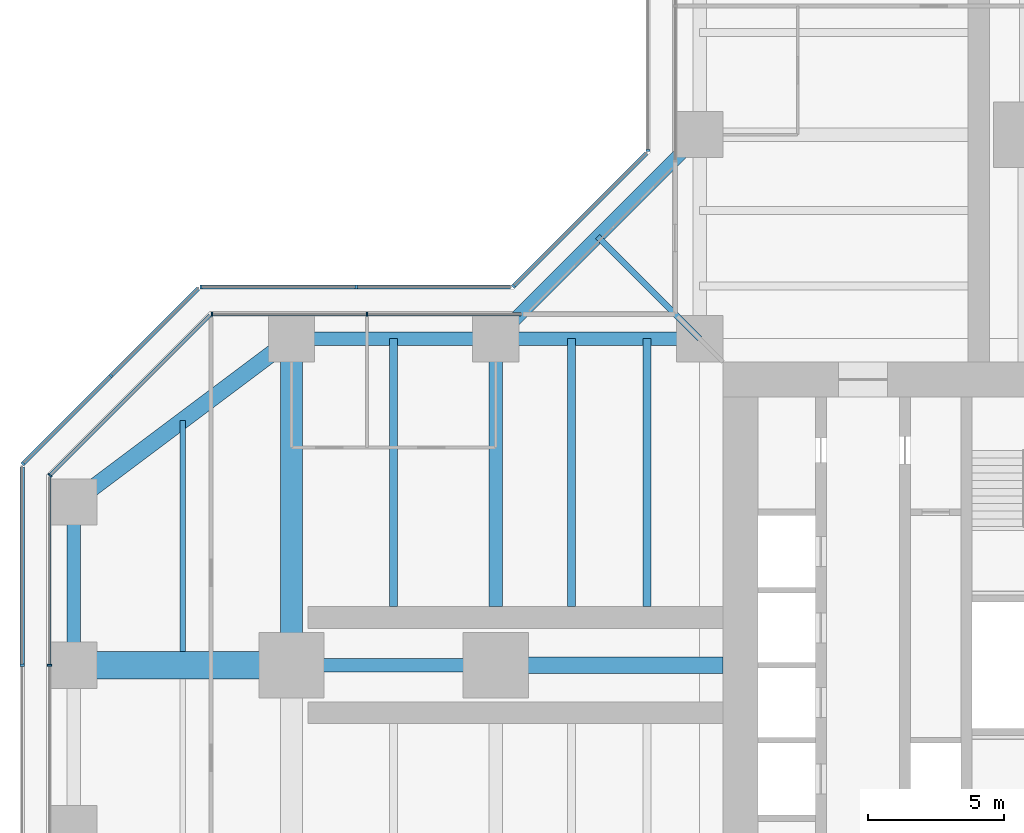
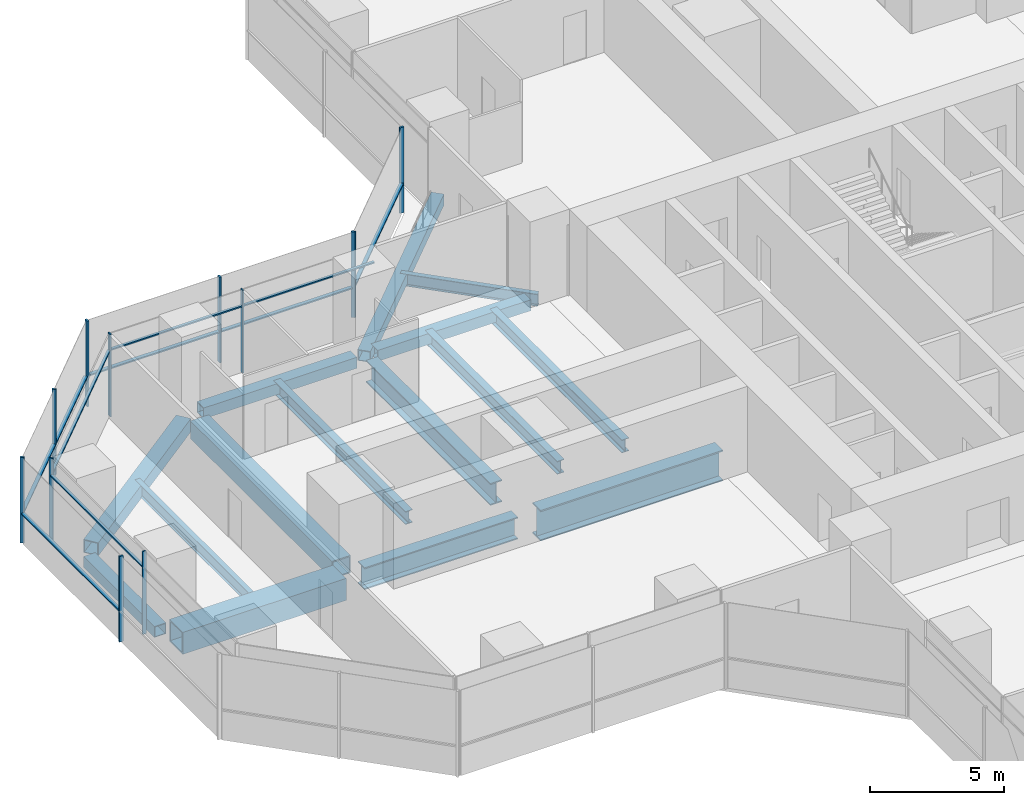
# One storey, part 8 of 22: 21 members, 15 beams, 8 elements without a shape of their own.
"""IFC4 building model written with IfcOpenShell, lengths in metres."""

from ifc_helpers import new_model, si_unit, direction, frame, origin, origin_2d, place, context, subcontext, project, spatial, rectangle, hollow_rectangle, i_section, extrude, material, material_profile, profile_set, type_object, element, aggregate, save


model = new_model("IFC4")

# Units and contexts
model_context = context("Model", 3, precision=1e-05, world=origin(), true_north=direction((0.0, 1.0)))
body_context = subcontext(model_context, "Body", "Model", "MODEL_VIEW")
ifc_project = project(units=[si_unit("LENGTHUNIT", "METRE"), si_unit("AREAUNIT", "SQUARE_METRE"), si_unit("VOLUMEUNIT", "CUBIC_METRE"), si_unit("PLANEANGLEUNIT", "RADIAN"), si_unit("MASSUNIT", "GRAM", prefix="KILO")], contexts=[model_context])

# Site, building, storey
site_placement = place(None, origin())
site = spatial("IfcSite", under=ifc_project, at=site_placement, CompositionType="ELEMENT")
building_placement = place(site_placement, origin())
building = spatial("IfcBuilding", under=site, at=building_placement, Name="Mizan Broadcast Tower", CompositionType="ELEMENT")
storey_placement = place(building_placement, frame((0.0, 0.0, 86.39990234375)))
storey = spatial("IfcBuildingStorey", under=building, at=storey_placement, Name="L18", CompositionType="ELEMENT", Elevation=86.39990234375)

# Beams
ifc_material_1 = material(Name="Steel S355", Category="steel")
ifc_material_profile_1 = material_profile(ifc_material_1, hollow_rectangle(XDim=0.5, YDim=0.5, WallThickness=0.030029296875, at=origin_2d()), Name="BOX 500x500x30")
ifc_profile_set_1 = profile_set([ifc_material_profile_1], Name="Steel S355")
beam_type_1 = type_object("IfcBeamType", Name="EDGE BEAM BOX 500x500x30", PredefinedType="SPANDREL", material=ifc_profile_set_1)
for number, where, z_axis, x_axis, name in (
    (1, (-12.449951171875, 12.0, -0.3798828125), (-1.0, 0.0, 0.0), (0.0, -1.0, 0.0), "Edge beam BOX 500x500x30 L18 west arm"),
    (2, (-19.949951171875, 12.0, -0.3798828125), (-1.0, 0.0, 0.0), (0.0, -1.0, 0.0), "Edge beam BOX 500x500x30 L18 west arm"),
):
    element("IfcBeam", number, at=place(storey_placement, frame(where, z_axis=z_axis, x_axis=x_axis)), inside=storey, type_object=beam_type_1, Name=name, PredefinedType="SPANDREL", context=body_context, shape_type="SweptSolid", body=[
        extrude(hollow_rectangle(XDim=0.5, YDim=0.5, WallThickness=0.030029296875, at=origin_2d()), origin(), (0.0, 0.0, 1.0), 6.60009765625),
    ])
beam_1_placement = place(storey_placement, frame((-35.0, 5.639892578125, -0.3798828125), z_axis=(0.0, -1.0, 0.0), x_axis=(1.0, 0.0, 0.0)))
element("IfcBeam", 3, at=beam_1_placement, inside=storey, type_object=beam_type_1, Name="Edge beam BOX 500x500x30 L18 west arm", PredefinedType="SPANDREL", context=body_context, shape_type="SweptSolid", body=[
    extrude(hollow_rectangle(XDim=0.5, YDim=0.5, WallThickness=0.030029296875, at=origin_2d()), origin(), (0.0, 0.0, 1.0), 5.27978515625),
])
beam_2_placement = place(storey_placement, frame((-12.0, 19.5, -0.3798828125), z_axis=(-0.707106781187, -0.707106781187, 0.0), x_axis=(0.707106781187, -0.707106781187, 0.0)))
element("IfcBeam", 4, at=beam_2_placement, inside=storey, type_object=beam_type_1, Name="Winter garden edge beam L18 N", PredefinedType="SPANDREL", context=body_context, shape_type="SweptSolid", body=[
    extrude(hollow_rectangle(XDim=0.5, YDim=0.5, WallThickness=0.030029296875, at=origin_2d()), origin(), (0.0, 0.0, 1.0), 10.606689453125),
])
ifc_material_2 = material(Name="Steel S355", Category="steel")
ifc_material_profile_2 = material_profile(ifc_material_2, hollow_rectangle(XDim=0.60009765625, YDim=0.60009765625, WallThickness=0.030029296875, at=origin_2d()), Name="BOX 600x600x30")
ifc_profile_set_2 = profile_set([ifc_material_profile_2], Name="Steel S355")
beam_type_2 = type_object("IfcBeamType", Name="EDGE BEAM BOX 600x600x30", PredefinedType="SPANDREL", material=ifc_profile_set_2)
beam_3_placement = place(storey_placement, frame((-27.47998046875, 11.639892578125, -0.429931640625), z_axis=(-0.800013316712, -0.599982243973, 0.0), x_axis=(0.599982243973, -0.800013316712, 0.0)))
element("IfcBeam", 5, at=beam_3_placement, inside=storey, type_object=beam_type_2, Name="Edge beam BOX 600x600x30 L18 west arm", PredefinedType="SPANDREL", context=body_context, shape_type="SweptSolid", body=[
    extrude(hollow_rectangle(XDim=0.60009765625, YDim=0.60009765625, WallThickness=0.030029296875, at=origin_2d()), origin(), (0.0, 0.0, 1.0), 8.7998046875),
])
ifc_material_3 = material(Name="Steel S460", Category="steel")
ifc_material_profile_3 = material_profile(ifc_material_3, hollow_rectangle(XDim=1.0, YDim=1.0, WallThickness=0.06005859375, at=origin_2d()), Name="BOX 1000x1000x60")
ifc_profile_set_3 = profile_set([ifc_material_profile_3], Name="Steel S460")
beam_type_3 = type_object("IfcBeamType", Name="GIRDER BOX 1000x1000x60", PredefinedType="BEAM", material=ifc_profile_set_3)
beam_4_placement = place(storey_placement, frame((-27.47998046875, 0.0, -0.6298828125), z_axis=(-1.0, 0.0, 0.0), x_axis=(0.0, -1.0, 0.0)))
element("IfcBeam", 6, at=beam_4_placement, inside=storey, type_object=beam_type_3, Name="Girder BOX 1000x1000x60 L18 west arm", PredefinedType="BEAM", context=body_context, shape_type="SweptSolid", body=[
    extrude(hollow_rectangle(XDim=1.0, YDim=1.0, WallThickness=0.06005859375, at=origin_2d()), origin(), (0.0, 0.0, 1.0), 7.0400390625),
])
ifc_material_4 = material(Name="Steel S460", Category="steel")
ifc_material_profile_4 = material_profile(ifc_material_4, hollow_rectangle(XDim=0.800048828125, YDim=0.800048828125, WallThickness=0.050048828125, at=origin_2d()), Name="BOX 800x800x50")
ifc_profile_set_4 = profile_set([ifc_material_profile_4], Name="Steel S460")
beam_type_4 = type_object("IfcBeamType", Name="GIRDER BOX 800x800x50", PredefinedType="BEAM", material=ifc_profile_set_4)
beam_5_placement = place(storey_placement, frame((-27.0, 11.280029296875, -0.52978515625), z_axis=(0.0, -1.0, 0.0), x_axis=(1.0, 0.0, 0.0)))
element("IfcBeam", 7, at=beam_5_placement, inside=storey, type_object=beam_type_4, Name="Girder BOX 800x800x50 L18 west arm", PredefinedType="BEAM", context=body_context, shape_type="SweptSolid", body=[
    extrude(hollow_rectangle(XDim=0.800048828125, YDim=0.800048828125, WallThickness=0.050048828125, at=origin_2d()), origin(), (0.0, 0.0, 1.0), 10.56005859375),
])
ifc_material_5 = material(Name="Steel S460", Category="steel")
ifc_material_profile_5 = material_profile(ifc_material_5, i_section(OverallWidth=0.5, OverallDepth=1.0, WebThickness=0.02490234375, FlangeThickness=0.050048828125, at=origin_2d()), Name="WPG 1000x500")
ifc_profile_set_5 = profile_set([ifc_material_profile_5], Name="Steel S460")
beam_type_5 = type_object("IfcBeamType", Name="GIRDER WPG 1000x500", PredefinedType="BEAM", material=ifc_profile_set_5)
beam_6_placement = place(storey_placement, frame((-19.949951171875, 0.0, -0.6298828125), z_axis=(-1.0, 0.0, 0.0), x_axis=(0.0, -1.0, 0.0)))
element("IfcBeam", 8, at=beam_6_placement, inside=storey, type_object=beam_type_5, Name="Girder WPG 1000x500 L18 west arm", PredefinedType="BEAM", context=body_context, shape_type="SweptSolid", body=[
    extrude(i_section(OverallWidth=0.5, OverallDepth=1.0, WebThickness=0.02490234375, FlangeThickness=0.050048828125, at=origin_2d()), origin(), (0.0, 0.0, 1.0), 6.60009765625),
])
beam_7_placement = place(storey_placement, frame((-19.5, 11.408935546875, -0.6298828125), z_axis=(0.0, -1.0, 0.0), x_axis=(1.0, 0.0, 0.0)))
element("IfcBeam", 9, at=beam_7_placement, inside=storey, type_object=beam_type_5, Name="Girder WPG 1000x500 L18 west arm", PredefinedType="BEAM", context=body_context, shape_type="SweptSolid", body=[
    extrude(i_section(OverallWidth=0.5, OverallDepth=1.0, WebThickness=0.02490234375, FlangeThickness=0.050048828125, at=origin_2d()), origin(), (0.0, 0.0, 1.0), 9.259033203125),
])
ifc_material_6 = material(Name="Steel S460", Category="steel")
ifc_material_profile_6 = material_profile(ifc_material_6, i_section(OverallWidth=0.60009765625, OverallDepth=1.39990234375, WebThickness=0.02490234375, FlangeThickness=0.06005859375, at=origin_2d()), Name="WPG 1400x600")
ifc_profile_set_6 = profile_set([ifc_material_profile_6], Name="Steel S460")
beam_type_6 = type_object("IfcBeamType", Name="GIRDER WPG 1400x600", PredefinedType="BEAM", material=ifc_profile_set_6)
beam_8_placement = place(storey_placement, frame((-11.14990234375, 0.0, -0.829833984375), z_axis=(-1.0, 0.0, 0.0), x_axis=(0.0, -1.0, 0.0)))
element("IfcBeam", 10, at=beam_8_placement, inside=storey, type_object=beam_type_6, Name="Girder WPG 1400x600 L18 west arm", PredefinedType="BEAM", context=body_context, shape_type="SweptSolid", body=[
    extrude(i_section(OverallWidth=0.60009765625, OverallDepth=1.39990234375, WebThickness=0.02490234375, FlangeThickness=0.06005859375, at=origin_2d()), origin(), (0.0, 0.0, 1.0), 7.84912109375),
])

# Curtain wall, members
ifc_material_7 = material(Name="Aluminium framed glazing", Category="aluminium")
curtain_wall_type_1 = type_object("IfcCurtainWallType", Name="INNER SKIN LOW ZONE", PredefinedType="USERDEFINED", material=ifc_material_7)
curtain_wall_1_placement = place(storey_placement, origin())
curtain_wall_1 = element("IfcCurtainWall", 11, at=curtain_wall_1_placement, inside=storey, type_object=curtain_wall_type_1, Name="Inner skin low zone L18 W side", ObjectType="INNER SKIN LOW ZONE", PredefinedType="USERDEFINED")
ifc_material_8 = material(Name="Aluminium, pale anodised", Category="aluminium")
ifc_material_profile_7 = material_profile(ifc_material_8, rectangle(XDim=0.159912109375, YDim=0.06005859375, at=origin_2d()), Name="MULLION 160x60")
ifc_profile_set_7 = profile_set([ifc_material_profile_7], Name="Aluminium, pale anodised")
member_type_1 = type_object("IfcMemberType", Name="INNER SKIN MULLION 60x160", PredefinedType="MULLION", material=ifc_profile_set_7)
member_1_placement = place(storey_placement, frame((-24.229248046875, 12.89990234375, 0.0), z_axis=(0.0, 0.0, 1.0), x_axis=(0.0, -1.0, 0.0)))
member_1 = element("IfcMember", 12, at=member_1_placement, type_object=member_type_1, Name="Inner skin low zone L18 W side mullion 2", PredefinedType="MULLION", context=body_context, shape_type="SweptSolid", body=[
    extrude(rectangle(XDim=0.159912109375, YDim=0.06005859375, at=origin_2d()), origin(), (0.0, 0.0, 1.0), 3.77001953125),
])
member_2_placement = place(storey_placement, frame((-29.928466796875, 12.89990234375, 0.0), z_axis=(0.0, 0.0, 1.0), x_axis=(0.0, -1.0, 0.0)))
member_2 = element("IfcMember", 13, at=member_2_placement, type_object=member_type_1, Name="Inner skin low zone L18 W side mullion 3", PredefinedType="MULLION", context=body_context, shape_type="SweptSolid", body=[
    extrude(rectangle(XDim=0.159912109375, YDim=0.06005859375, at=origin_2d()), origin(), (0.0, 0.0, 1.0), 3.77001953125),
])

# Curtain wall, member
curtain_wall_2_placement = place(storey_placement, origin())
curtain_wall_2 = element("IfcCurtainWall", 14, at=curtain_wall_2_placement, inside=storey, type_object=curtain_wall_type_1, Name="Inner skin low zone L18 W chamfer", ObjectType="INNER SKIN LOW ZONE", PredefinedType="USERDEFINED")
member_3_placement = place(storey_placement, frame((-35.87890625, 6.979736328125, 0.0), z_axis=(0.0, 0.0, 1.0), x_axis=(0.707106781187, -0.707106781187, 0.0)))
member_3 = element("IfcMember", 15, at=member_3_placement, type_object=member_type_1, Name="Inner skin low zone L18 W chamfer mullion 2", PredefinedType="MULLION", context=body_context, shape_type="SweptSolid", body=[
    extrude(rectangle(XDim=0.159912109375, YDim=0.06005859375, at=origin_2d()), origin(), (0.0, 0.0, 1.0), 3.77001953125),
])

curtain_wall_3_placement = place(storey_placement, origin())
curtain_wall_3 = element("IfcCurtainWall", 16, at=curtain_wall_3_placement, inside=storey, type_object=curtain_wall_type_1, Name="Inner skin low zone L18 W end", ObjectType="INNER SKIN LOW ZONE", PredefinedType="USERDEFINED")
member_4_placement = place(storey_placement, frame((-35.89990234375, 0.0, 0.0), z_axis=(0.0, 0.0, 1.0), x_axis=(1.0, 0.0, 0.0)))
member_4 = element("IfcMember", 17, at=member_4_placement, type_object=member_type_1, Name="Inner skin low zone L18 W end mullion 2", PredefinedType="MULLION", context=body_context, shape_type="SweptSolid", body=[
    extrude(rectangle(XDim=0.159912109375, YDim=0.06005859375, at=origin_2d()), origin(), (0.0, 0.0, 1.0), 3.77001953125),
])

# Member
ifc_material_9 = material(Name="Aluminium, pale anodised", Category="aluminium")
ifc_material_profile_8 = material_profile(ifc_material_9, rectangle(XDim=0.1201171875, YDim=0.06005859375, at=origin_2d()), Name="TRANSOM 120x60")
ifc_profile_set_8 = profile_set([ifc_material_profile_8], Name="Aluminium, pale anodised")
member_type_2 = type_object("IfcMemberType", Name="INNER SKIN TRANSOM 60x120", PredefinedType="USERDEFINED", material=ifc_profile_set_8)
member_5_placement = place(storey_placement, frame((-18.56005859375, 12.89990234375, 3.030029296875), z_axis=(-1.0, 0.0, 0.0), x_axis=(0.0, -1.0, 0.0)))
member_5 = element("IfcMember", 18, at=member_5_placement, type_object=member_type_2, Name="Inner skin low zone L18 W side transom 1.1", ObjectType="TRANSOM", PredefinedType="USERDEFINED", context=body_context, shape_type="SweptSolid", body=[
    extrude(rectangle(XDim=0.1201171875, YDim=0.06005859375, at=origin_2d()), origin(), (0.0, 0.0, 1.0), 5.63916015625),
])

member_6_placement = place(storey_placement, frame((-24.25927734375, 12.89990234375, 3.030029296875), z_axis=(-1.0, 0.0, 0.0), x_axis=(0.0, -1.0, 0.0)))
member_6 = element("IfcMember", 19, at=member_6_placement, type_object=member_type_2, Name="Inner skin low zone L18 W side transom 2.1", ObjectType="TRANSOM", PredefinedType="USERDEFINED", context=body_context, shape_type="SweptSolid", body=[
    extrude(rectangle(XDim=0.1201171875, YDim=0.06005859375, at=origin_2d()), origin(), (0.0, 0.0, 1.0), 5.639404296875),
])

aggregate(curtain_wall_1, [member_1, member_2, member_5, member_6])

member_7_placement = place(storey_placement, frame((-30.0009765625, 12.857666015625, 3.030029296875), z_axis=(-0.707106781187, -0.707106781187, 0.0), x_axis=(0.707106781187, -0.707106781187, 0.0)))
member_7 = element("IfcMember", 20, at=member_7_placement, type_object=member_type_2, Name="Inner skin low zone L18 W chamfer transom 1.1", ObjectType="TRANSOM", PredefinedType="USERDEFINED", context=body_context, shape_type="SweptSolid", body=[
    extrude(rectangle(XDim=0.1201171875, YDim=0.06005859375, at=origin_2d()), origin(), (0.0, 0.0, 1.0), 8.28271484375),
])

aggregate(curtain_wall_2, [member_3, member_7])

member_8_placement = place(storey_placement, frame((-35.89990234375, 6.898681640625, 3.030029296875), z_axis=(0.0, -1.0, 0.0), x_axis=(1.0, 0.0, 0.0)))
member_8 = element("IfcMember", 21, at=member_8_placement, type_object=member_type_2, Name="Inner skin low zone L18 W end transom 1.1", ObjectType="TRANSOM", PredefinedType="USERDEFINED", context=body_context, shape_type="SweptSolid", body=[
    extrude(rectangle(XDim=0.1201171875, YDim=0.06005859375, at=origin_2d()), origin(), (0.0, 0.0, 1.0), 6.86865234375),
])

aggregate(curtain_wall_3, [member_4, member_8])

# Curtain wall, member
ifc_material_10 = material(Name="Aluminium framed glazing", Category="aluminium")
curtain_wall_type_2 = type_object("IfcCurtainWallType", Name="OUTER SKIN", PredefinedType="USERDEFINED", material=ifc_material_10)
curtain_wall_4_placement = place(storey_placement, origin())
curtain_wall_4 = element("IfcCurtainWall", 22, at=curtain_wall_4_placement, inside=storey, type_object=curtain_wall_type_2, Name="Outer skin L18 N side", ObjectType="OUTER SKIN", PredefinedType="USERDEFINED")
ifc_material_11 = material(Name="Aluminium, pale anodised", Category="aluminium")
ifc_material_profile_9 = material_profile(ifc_material_11, rectangle(XDim=0.159912109375, YDim=0.080078125, at=origin_2d()), Name="MULLION 160x80")
ifc_profile_set_9 = profile_set([ifc_material_profile_9], Name="Aluminium, pale anodised")
member_type_3 = type_object("IfcMemberType", Name="OUTER SKIN MULLION 80x160", PredefinedType="MULLION", material=ifc_profile_set_9)
member_9_placement = place(storey_placement, frame((-13.89990234375, 18.912841796875, 0.0), z_axis=(0.0, 0.0, 1.0), x_axis=(1.0, 0.0, 0.0)))
member_9 = element("IfcMember", 23, at=member_9_placement, type_object=member_type_3, Name="Outer skin L18 N side mullion 3", PredefinedType="MULLION", context=body_context, shape_type="SweptSolid", body=[
    extrude(rectangle(XDim=0.159912109375, YDim=0.080078125, at=origin_2d()), origin(), (0.0, 0.0, 1.0), 3.900146484375),
])
aggregate(curtain_wall_4, [member_9])

curtain_wall_5_placement = place(storey_placement, origin())
curtain_wall_5 = element("IfcCurtainWall", 24, at=curtain_wall_5_placement, inside=storey, type_object=curtain_wall_type_2, Name="Outer skin L18 W chamfer", ObjectType="OUTER SKIN", PredefinedType="USERDEFINED")
member_10_placement = place(storey_placement, frame((-18.844482421875, 13.92822265625, 0.0), z_axis=(0.0, 0.0, 1.0), x_axis=(0.707106781187, -0.707106781187, 0.0)))
member_10 = element("IfcMember", 25, at=member_10_placement, type_object=member_type_3, Name="Outer skin L18 W chamfer mullion 2", PredefinedType="MULLION", context=body_context, shape_type="SweptSolid", body=[
    extrude(rectangle(XDim=0.159912109375, YDim=0.080078125, at=origin_2d()), origin(), (0.0, 0.0, 1.0), 3.900146484375),
])

# Curtain wall, members
curtain_wall_6_placement = place(storey_placement, origin())
curtain_wall_6 = element("IfcCurtainWall", 26, at=curtain_wall_6_placement, inside=storey, type_object=curtain_wall_type_2, Name="Outer skin L18 W side", ObjectType="OUTER SKIN", PredefinedType="USERDEFINED")
member_11_placement = place(storey_placement, frame((-24.622802734375, 13.89990234375, 0.0), z_axis=(0.0, 0.0, 1.0), x_axis=(0.0, -1.0, 0.0)))
member_11 = element("IfcMember", 27, at=member_11_placement, type_object=member_type_3, Name="Outer skin L18 W side mullion 2", PredefinedType="MULLION", context=body_context, shape_type="SweptSolid", body=[
    extrude(rectangle(XDim=0.159912109375, YDim=0.080078125, at=origin_2d()), origin(), (0.0, 0.0, 1.0), 3.900146484375),
])
member_12_placement = place(storey_placement, frame((-30.332763671875, 13.89990234375, 0.0), z_axis=(0.0, 0.0, 1.0), x_axis=(0.0, -1.0, 0.0)))
member_12 = element("IfcMember", 28, at=member_12_placement, type_object=member_type_3, Name="Outer skin L18 W side mullion 3", PredefinedType="MULLION", context=body_context, shape_type="SweptSolid", body=[
    extrude(rectangle(XDim=0.159912109375, YDim=0.080078125, at=origin_2d()), origin(), (0.0, 0.0, 1.0), 3.900146484375),
])

curtain_wall_7_placement = place(storey_placement, origin())
curtain_wall_7 = element("IfcCurtainWall", 29, at=curtain_wall_7_placement, inside=storey, type_object=curtain_wall_type_2, Name="Outer skin L18 W chamfer", ObjectType="OUTER SKIN", PredefinedType="USERDEFINED")
member_13_placement = place(storey_placement, frame((-33.636474609375, 10.636474609375, 0.0), z_axis=(0.0, 0.0, 1.0), x_axis=(0.707106781187, -0.707106781187, 0.0)))
member_13 = element("IfcMember", 30, at=member_13_placement, type_object=member_type_3, Name="Outer skin L18 W chamfer mullion 2", PredefinedType="MULLION", context=body_context, shape_type="SweptSolid", body=[
    extrude(rectangle(XDim=0.159912109375, YDim=0.080078125, at=origin_2d()), origin(), (0.0, 0.0, 1.0), 3.900146484375),
])
member_14_placement = place(storey_placement, frame((-36.871826171875, 7.401123046875, 0.0), z_axis=(0.0, 0.0, 1.0), x_axis=(0.707106781187, -0.707106781187, 0.0)))
member_14 = element("IfcMember", 31, at=member_14_placement, type_object=member_type_3, Name="Outer skin L18 W chamfer mullion 3", PredefinedType="MULLION", context=body_context, shape_type="SweptSolid", body=[
    extrude(rectangle(XDim=0.159912109375, YDim=0.080078125, at=origin_2d()), origin(), (0.0, 0.0, 1.0), 3.900146484375),
])

# Curtain wall, member
curtain_wall_8_placement = place(storey_placement, origin())
curtain_wall_8 = element("IfcCurtainWall", 32, at=curtain_wall_8_placement, inside=storey, type_object=curtain_wall_type_2, Name="Outer skin L18 W end", ObjectType="OUTER SKIN", PredefinedType="USERDEFINED")
member_15_placement = place(storey_placement, frame((-36.89990234375, 0.0, 0.0), z_axis=(0.0, 0.0, 1.0), x_axis=(1.0, 0.0, 0.0)))
member_15 = element("IfcMember", 33, at=member_15_placement, type_object=member_type_3, Name="Outer skin L18 W end mullion 2", PredefinedType="MULLION", context=body_context, shape_type="SweptSolid", body=[
    extrude(rectangle(XDim=0.159912109375, YDim=0.080078125, at=origin_2d()), origin(), (0.0, 0.0, 1.0), 3.900146484375),
])

# Member
ifc_material_12 = material(Name="Aluminium, pale anodised", Category="aluminium")
ifc_material_profile_10 = material_profile(ifc_material_12, rectangle(XDim=0.159912109375, YDim=0.06005859375, at=origin_2d()), Name="TRANSOM 160x60")
ifc_profile_set_10 = profile_set([ifc_material_profile_10], Name="Aluminium, pale anodised")
member_type_4 = type_object("IfcMemberType", Name="OUTER SKIN TRANSOM 60x160", PredefinedType="USERDEFINED", material=ifc_profile_set_10)
member_16_placement = place(storey_placement, frame((-13.95654296875, 18.816162109375, 1.400146484375), z_axis=(-0.707106781187, -0.707106781187, 0.0), x_axis=(0.707106781187, -0.707106781187, 0.0)))
member_16 = element("IfcMember", 34, at=member_16_placement, type_object=member_type_4, Name="Outer skin L18 W chamfer transom 1.1", ObjectType="TRANSOM", PredefinedType="USERDEFINED", context=body_context, shape_type="SweptSolid", body=[
    extrude(rectangle(XDim=0.159912109375, YDim=0.06005859375, at=origin_2d()), origin(), (0.0, 0.0, 1.0), 6.87255859375),
])

aggregate(curtain_wall_5, [member_10, member_16])

member_17_placement = place(storey_placement, frame((-18.952880859375, 13.89990234375, 1.400146484375), z_axis=(-1.0, 0.0, 0.0), x_axis=(0.0, -1.0, 0.0)))
member_17 = element("IfcMember", 35, at=member_17_placement, type_object=member_type_4, Name="Outer skin L18 W side transom 1.1", ObjectType="TRANSOM", PredefinedType="USERDEFINED", context=body_context, shape_type="SweptSolid", body=[
    extrude(rectangle(XDim=0.159912109375, YDim=0.06005859375, at=origin_2d()), origin(), (0.0, 0.0, 1.0), 5.6298828125),
])

member_18_placement = place(storey_placement, frame((-24.662841796875, 13.89990234375, 1.400146484375), z_axis=(-1.0, 0.0, 0.0), x_axis=(0.0, -1.0, 0.0)))
member_18 = element("IfcMember", 36, at=member_18_placement, type_object=member_type_4, Name="Outer skin L18 W side transom 2.1", ObjectType="TRANSOM", PredefinedType="USERDEFINED", context=body_context, shape_type="SweptSolid", body=[
    extrude(rectangle(XDim=0.159912109375, YDim=0.06005859375, at=origin_2d()), origin(), (0.0, 0.0, 1.0), 5.6298828125),
])

aggregate(curtain_wall_6, [member_11, member_12, member_17, member_18])

member_19_placement = place(storey_placement, frame((-30.429443359375, 13.843505859375, 1.400146484375), z_axis=(-0.707106781187, -0.707106781187, 0.0), x_axis=(0.707106781187, -0.707106781187, 0.0)))
member_19 = element("IfcMember", 37, at=member_19_placement, type_object=member_type_4, Name="Outer skin L18 W chamfer transom 1.1", ObjectType="TRANSOM", PredefinedType="USERDEFINED", context=body_context, shape_type="SweptSolid", body=[
    extrude(rectangle(XDim=0.159912109375, YDim=0.06005859375, at=origin_2d()), origin(), (0.0, 0.0, 1.0), 4.495361328125),
])

member_20_placement = place(storey_placement, frame((-33.664794921875, 10.608154296875, 1.400146484375), z_axis=(-0.707106781187, -0.707106781187, 0.0), x_axis=(0.707106781187, -0.707106781187, 0.0)))
member_20 = element("IfcMember", 38, at=member_20_placement, type_object=member_type_4, Name="Outer skin L18 W chamfer transom 2.1", ObjectType="TRANSOM", PredefinedType="USERDEFINED", context=body_context, shape_type="SweptSolid", body=[
    extrude(rectangle(XDim=0.159912109375, YDim=0.06005859375, at=origin_2d()), origin(), (0.0, 0.0, 1.0), 4.495361328125),
])

aggregate(curtain_wall_7, [member_13, member_14, member_19, member_20])

member_21_placement = place(storey_placement, frame((-36.89990234375, 7.292724609375, 1.400146484375), z_axis=(0.0, -1.0, 0.0), x_axis=(1.0, 0.0, 0.0)))
member_21 = element("IfcMember", 39, at=member_21_placement, type_object=member_type_4, Name="Outer skin L18 W end transom 1.1", ObjectType="TRANSOM", PredefinedType="USERDEFINED", context=body_context, shape_type="SweptSolid", body=[
    extrude(rectangle(XDim=0.159912109375, YDim=0.06005859375, at=origin_2d()), origin(), (0.0, 0.0, 1.0), 7.252685546875),
])

aggregate(curtain_wall_8, [member_15, member_21])

# Beams
ifc_material_13 = material(Name="Steel S355", Category="steel")
ifc_material_profile_11 = material_profile(ifc_material_13, i_section(OverallWidth=0.300048828125, OverallDepth=0.590087890625, WebThickness=0.012939453125, FlangeThickness=0.02490234375, FilletRadius=0.027099609375, at=origin_2d()), Name="HEA 600")
ifc_profile_set_11 = profile_set([ifc_material_profile_11], Name="Steel S355")
beam_type_7 = type_object("IfcBeamType", Name="SECONDARY BEAM HEA 600", PredefinedType="JOIST", material=ifc_profile_set_11)
for number, where, z_axis, x_axis, name in (
    (40, (-13.933349609375, 12.0, -0.4248046875), (0.0, -1.0, 0.0), (1.0, 0.0, 0.0), "Secondary beam HEA 600 L18 west arm"),
    (41, (-16.716552734375, 12.0, -0.4248046875), (0.0, -1.0, 0.0), (1.0, 0.0, 0.0), "Secondary beam HEA 600 L18 west arm"),
    (42, (-23.25, 12.0, -0.4248046875), (0.0, -1.0, 0.0), (1.0, 0.0, 0.0), "Secondary beam HEA 600 L18 west arm"),
):
    element("IfcBeam", number, at=place(storey_placement, frame(where, z_axis=z_axis, x_axis=x_axis)), inside=storey, type_object=beam_type_7, Name=name, PredefinedType="JOIST", context=body_context, shape_type="SweptSolid", body=[
        extrude(i_section(OverallWidth=0.300048828125, OverallDepth=0.590087890625, WebThickness=0.012939453125, FlangeThickness=0.02490234375, FilletRadius=0.027099609375, at=origin_2d()), origin(), (0.0, 0.0, 1.0), 9.85009765625),
    ])
ifc_material_14 = material(Name="Steel S355", Category="steel")
ifc_material_profile_12 = material_profile(ifc_material_14, i_section(OverallWidth=0.2099609375, OverallDepth=0.550048828125, WebThickness=0.010986328125, FlangeThickness=0.01708984375, FilletRadius=0.02392578125, at=origin_2d()), Name="IPE 550")
ifc_profile_set_12 = profile_set([ifc_material_profile_12], Name="Steel S355")
beam_type_8 = type_object("IfcBeamType", Name="SECONDARY BEAM IPE 550", PredefinedType="JOIST", material=ifc_profile_set_12)
beam_9_placement = place(storey_placement, frame((-31.0, 9.0, -0.40478515625), z_axis=(0.0, -1.0, 0.0), x_axis=(1.0, 0.0, 0.0)))
element("IfcBeam", 43, at=beam_9_placement, inside=storey, type_object=beam_type_8, Name="Secondary beam IPE 550 L18 west arm", PredefinedType="JOIST", context=body_context, shape_type="SweptSolid", body=[
    extrude(i_section(OverallWidth=0.2099609375, OverallDepth=0.550048828125, WebThickness=0.010986328125, FlangeThickness=0.01708984375, FilletRadius=0.02392578125, at=origin_2d()), origin(), (0.0, 0.0, 1.0), 8.5),
])
beam_10_placement = place(storey_placement, frame((-12.0, 12.0, -0.40478515625), z_axis=(-0.707106781187, 0.707106781187, 0.0), x_axis=(-0.707106781187, -0.707106781187, 0.0)))
element("IfcBeam", 44, at=beam_10_placement, inside=storey, type_object=beam_type_8, Name="Winter garden beam L18 N", PredefinedType="JOIST", context=body_context, shape_type="SweptSolid", body=[
    extrude(i_section(OverallWidth=0.2099609375, OverallDepth=0.550048828125, WebThickness=0.010986328125, FlangeThickness=0.01708984375, FilletRadius=0.02392578125, at=origin_2d()), origin(), (0.0, 0.0, 1.0), 5.30322265625),
])

save(model, "model.ifc")
